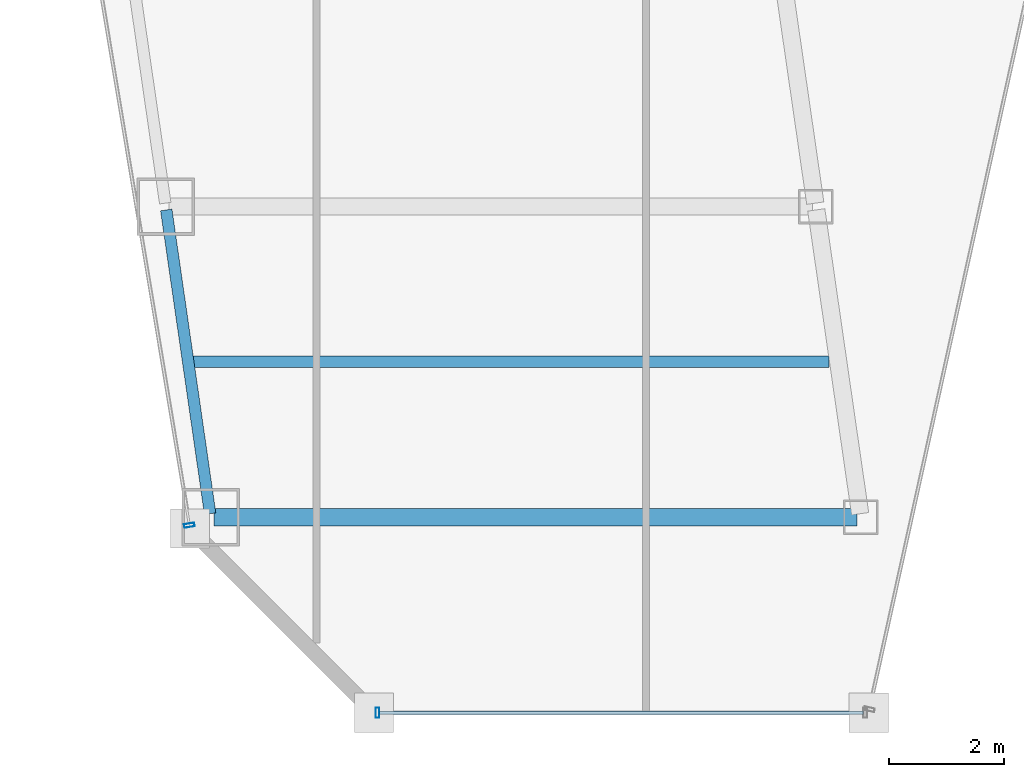
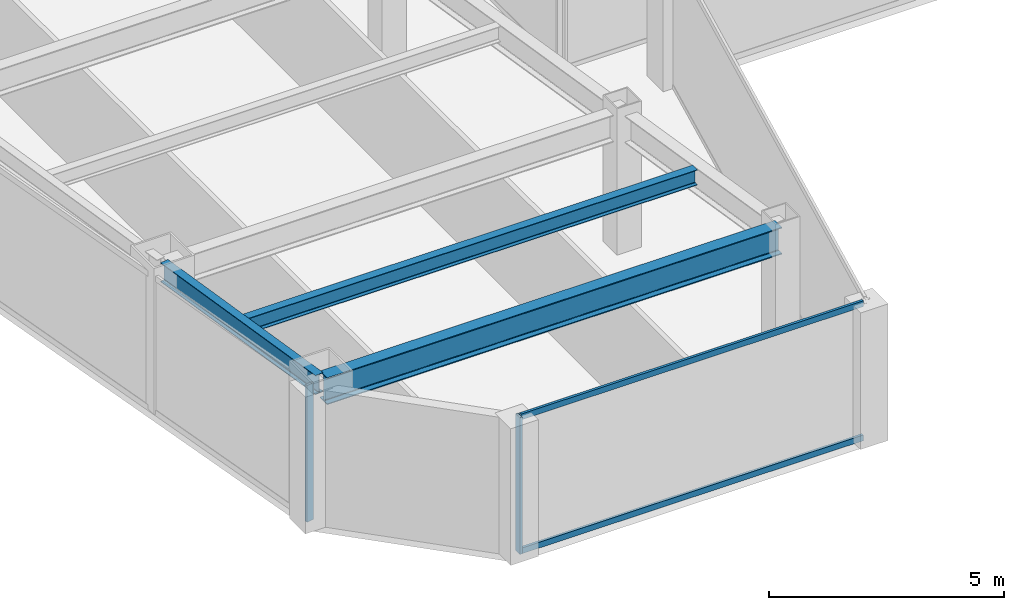
# One storey, part 2 of 38: 4 members, 3 beams, 2 elements without a shape of their own.
"""IFC4 building model written with IfcOpenShell, lengths in metres."""

from ifc_helpers import new_model, si_unit, direction, frame, origin, origin_2d, place, context, subcontext, project, spatial, hollow_rectangle, i_section, extrude, material, material_profile, profile_set, type_object, element, aggregate, save


model = new_model("IFC4")

# Units and contexts
model_context = context("Model", 3, precision=1e-05, world=origin(), true_north=direction((0.0, 1.0)))
body_context = subcontext(model_context, "Body", "Model", "MODEL_VIEW")
ifc_project = project(units=[si_unit("LENGTHUNIT", "METRE"), si_unit("AREAUNIT", "SQUARE_METRE"), si_unit("VOLUMEUNIT", "CUBIC_METRE"), si_unit("PLANEANGLEUNIT", "RADIAN"), si_unit("MASSUNIT", "GRAM", prefix="KILO")], contexts=[model_context])

# Site, building, storey
site_placement = place(None, origin())
site = spatial("IfcSite", under=ifc_project, at=site_placement, CompositionType="ELEMENT")
building_placement = place(site_placement, origin())
building = spatial("IfcBuilding", under=site, at=building_placement, Name="Saevonmaru Cultural Tower", CompositionType="ELEMENT")
storey_placement = place(building_placement, frame((0.0, 0.0, 137.199951171875)))
storey = spatial("IfcBuildingStorey", under=building, at=storey_placement, Name="L29", CompositionType="ELEMENT", Elevation=137.199951171875)

# Beams
ifc_material_1 = material(Name="Steel SM355", Category="steel")
ifc_material_profile_1 = material_profile(ifc_material_1, i_section(OverallWidth=0.300048828125, OverallDepth=0.699951171875, WebThickness=0.012939453125, FlangeThickness=0.02392578125, FilletRadius=0.02587890625, at=origin_2d()), Name="H-700x300x13x24")
ifc_profile_set_1 = profile_set([ifc_material_profile_1], Name="Steel SM355")
beam_type_1 = type_object("IfcBeamType", Name="BM-G-H700", PredefinedType="BEAM", material=ifc_profile_set_1)
beam_1_placement = place(storey_placement, frame((11.468017578125, 10.60009765625, 3.199951171875), z_axis=(1.0, 0.0, 0.0), x_axis=(0.0, 1.0, 0.0)))
element("IfcBeam", 1, at=beam_1_placement, inside=storey, type_object=beam_type_1, Name="L29 West Wing Transverse Girder 1", PredefinedType="BEAM", context=body_context, shape_type="SweptSolid", body=[
    extrude(i_section(OverallWidth=0.300048828125, OverallDepth=0.699951171875, WebThickness=0.012939453125, FlangeThickness=0.02392578125, FilletRadius=0.02587890625, at=origin_2d()), origin(), (0.0, 0.0, 1.0), 11.179931640625),
])
ifc_material_profile_2 = material_profile(ifc_material_1, i_section(OverallWidth=0.199951171875, OverallDepth=0.39990234375, WebThickness=0.008056640625, FlangeThickness=0.012939453125, FilletRadius=0.01611328125, at=origin_2d()), Name="H-400x200x8x13")
ifc_profile_set_2 = profile_set([ifc_material_profile_2], Name="Steel SM355")
beam_type_2 = type_object("IfcBeamType", Name="BM-J-H400", PredefinedType="JOIST", material=ifc_profile_set_2)
beam_2_placement = place(storey_placement, frame((11.077880859375, 13.300048828125, 3.35009765625), z_axis=(1.0, 0.0, 0.0), x_axis=(0.0, 1.0, 0.0)))
element("IfcBeam", 2, at=beam_2_placement, inside=storey, type_object=beam_type_2, Name="L29 West Wing Floor Joist 1", PredefinedType="JOIST", context=body_context, shape_type="SweptSolid", body=[
    extrude(i_section(OverallWidth=0.199951171875, OverallDepth=0.39990234375, WebThickness=0.008056640625, FlangeThickness=0.012939453125, FilletRadius=0.01611328125, at=origin_2d()), origin(), (0.0, 0.0, 1.0), 11.08203125),
])
ifc_material_profile_3 = material_profile(ifc_material_1, i_section(OverallWidth=0.199951171875, OverallDepth=0.5, WebThickness=0.010009765625, FlangeThickness=0.01611328125, FilletRadius=0.02001953125, at=origin_2d()), Name="H-500x200x10x16")
ifc_profile_set_3 = profile_set([ifc_material_profile_3], Name="Steel SM355")
beam_type_3 = type_object("IfcBeamType", Name="BM-SP-H500", PredefinedType="SPANDREL", material=ifc_profile_set_3)
beam_3_placement = place(storey_placement, frame((11.3994140625, 10.659423828125, 3.300048828125), z_axis=(-0.1429328758, 0.989732384544, 0.0), x_axis=(-0.989732384544, -0.1429328758, 0.0)))
element("IfcBeam", 3, at=beam_3_placement, inside=storey, type_object=beam_type_3, Name="L29 West Splayed Spandrel 1", PredefinedType="SPANDREL", context=body_context, shape_type="SweptSolid", body=[
    extrude(i_section(OverallWidth=0.199951171875, OverallDepth=0.5, WebThickness=0.010009765625, FlangeThickness=0.01611328125, FilletRadius=0.02001953125, at=origin_2d()), origin(), (0.0, 0.0, 1.0), 5.3359375),
])

# Curtain wall, member
ifc_material_2 = material(Name="Satin Bronze Anodised Aluminium", Category="aluminium")
curtain_wall_type = type_object("IfcCurtainWallType", Name="CW-TYP-A", PredefinedType="NOTDEFINED", material=ifc_material_2)
curtain_wall_1_placement = place(storey_placement, origin())
curtain_wall_1 = element("IfcCurtainWall", 4, at=curtain_wall_1_placement, inside=storey, type_object=curtain_wall_type, Name="L29 Unitised Curtain Wall E2", PredefinedType="NOTDEFINED")
ifc_material_profile_4 = material_profile(ifc_material_2, hollow_rectangle(XDim=0.06494140625, YDim=0.179931640625, WallThickness=0.00390625, at=origin_2d()), Name="ALU-MULL-180x65x4")
ifc_profile_set_4 = profile_set([ifc_material_profile_4], Name="Satin Bronze Anodised Aluminium")
member_type_1 = type_object("IfcMemberType", Name="ML-CW-180x65", PredefinedType="MULLION", material=ifc_profile_set_4)
member_1_placement = place(storey_placement, frame((14.308837890625, 7.199951171875, 0.0), z_axis=(0.0, 0.0, 1.0), x_axis=(1.0, 0.0, 0.0)))
member_1 = element("IfcMember", 5, at=member_1_placement, type_object=member_type_1, Name="CW-TW-L29-E2 mullion 1", PredefinedType="MULLION", context=body_context, shape_type="SweptSolid", body=[
    extrude(hollow_rectangle(XDim=0.06494140625, YDim=0.179931640625, WallThickness=0.00390625, at=origin_2d()), origin(), (0.0, 0.0, 1.0), 3.550048828125),
])

curtain_wall_2_placement = place(storey_placement, origin())
curtain_wall_2 = element("IfcCurtainWall", 6, at=curtain_wall_2_placement, inside=storey, type_object=curtain_wall_type, Name="L29 Unitised Curtain Wall E12", PredefinedType="NOTDEFINED")
member_2_placement = place(storey_placement, frame((11.0390625, 10.459228515625, 0.0), z_axis=(0.0, 0.0, 1.0), x_axis=(0.163998702345, -0.986460554523, 0.0)))
member_2 = element("IfcMember", 7, at=member_2_placement, type_object=member_type_1, Name="CW-TW-L29-E12 mullion 5", PredefinedType="MULLION", context=body_context, shape_type="SweptSolid", body=[
    extrude(hollow_rectangle(XDim=0.06494140625, YDim=0.179931640625, WallThickness=0.00390625, at=origin_2d()), origin(), (0.0, 0.0, 1.0), 3.550048828125),
])
aggregate(curtain_wall_2, [member_2])

# Member
ifc_material_profile_5 = material_profile(ifc_material_2, hollow_rectangle(XDim=0.06494140625, YDim=0.14990234375, WallThickness=0.00390625, at=origin_2d()), Name="ALU-TRAN-150x65x4")
ifc_profile_set_5 = profile_set([ifc_material_profile_5], Name="Satin Bronze Anodised Aluminium")
member_type_2 = type_object("IfcMemberType", Name="TR-CW-150x65", PredefinedType="USERDEFINED", material=ifc_profile_set_5)
member_3_placement = place(storey_placement, frame((14.34130859375, 7.199951171875, 0.032470703125), z_axis=(1.0, 0.0, 0.0), x_axis=(0.0, 1.0, 0.0)))
member_3 = element("IfcMember", 8, at=member_3_placement, type_object=member_type_2, Name="CW-TW-L29-E2 transom 1.1", ObjectType="TRANSOM", PredefinedType="USERDEFINED", context=body_context, shape_type="SweptSolid", body=[
    extrude(hollow_rectangle(XDim=0.06494140625, YDim=0.14990234375, WallThickness=0.00390625, at=origin_2d()), origin(), (0.0, 0.0, 1.0), 8.4150390625),
])

member_4_placement = place(storey_placement, frame((14.34130859375, 7.199951171875, 3.517578125), z_axis=(1.0, 0.0, 0.0), x_axis=(0.0, 1.0, 0.0)))
member_4 = element("IfcMember", 9, at=member_4_placement, type_object=member_type_2, Name="CW-TW-L29-E2 transom 1.2", ObjectType="TRANSOM", PredefinedType="USERDEFINED", context=body_context, shape_type="SweptSolid", body=[
    extrude(hollow_rectangle(XDim=0.06494140625, YDim=0.14990234375, WallThickness=0.00390625, at=origin_2d()), origin(), (0.0, 0.0, 1.0), 8.4150390625),
])

aggregate(curtain_wall_1, [member_1, member_3, member_4])

save(model, "model.ifc")
